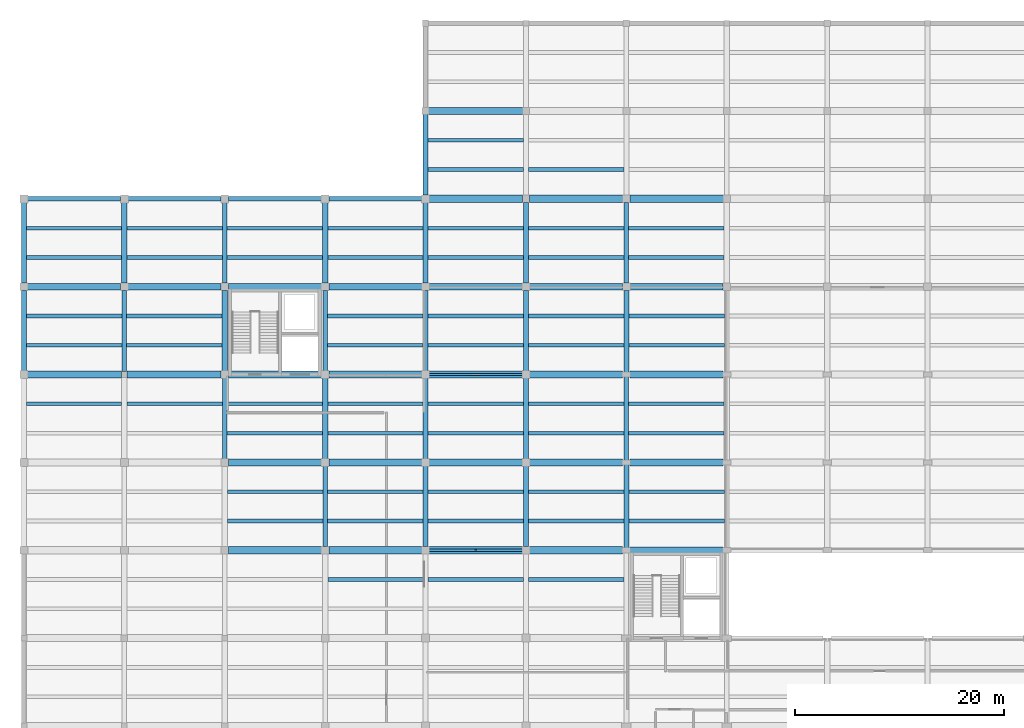
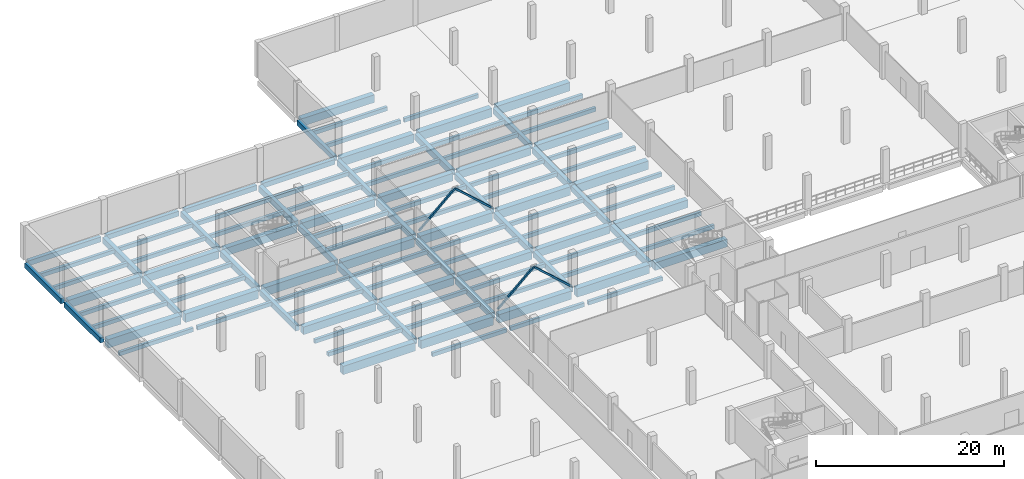
# One storey, part 9 of 30: 110 beams, 4 members.
"""IFC4 building model written with IfcOpenShell, lengths in metres."""

from ifc_helpers import new_model, si_unit, direction, frame, origin, origin_2d, place, context, subcontext, project, spatial, rectangle, hollow_rectangle, extrude, material, material_profile, profile_set, type_object, element, save


model = new_model("IFC4")

# Units and contexts
model_context = context("Model", 3, precision=1e-05, world=origin(), true_north=direction((0.0, 1.0)))
body_context = subcontext(model_context, "Body", "Model", "MODEL_VIEW")
ifc_project = project(units=[si_unit("LENGTHUNIT", "METRE"), si_unit("AREAUNIT", "SQUARE_METRE"), si_unit("VOLUMEUNIT", "CUBIC_METRE"), si_unit("PLANEANGLEUNIT", "RADIAN"), si_unit("MASSUNIT", "GRAM", prefix="KILO")], contexts=[model_context])

# Site, building, storey
site_placement = place(None, origin())
site = spatial("IfcSite", under=ifc_project, at=site_placement, CompositionType="ELEMENT")
building_placement = place(site_placement, origin())
building = spatial("IfcBuilding", under=site, at=building_placement, Name="Lornevale Opera House", CompositionType="ELEMENT")
storey_placement = place(building_placement, frame((0.0, 0.0, -4.800048828125)))
storey = spatial("IfcBuildingStorey", under=building, at=storey_placement, Name="B1", CompositionType="ELEMENT", Elevation=-4.800048828125)

# Beams
ifc_material_1 = material(Name="Concrete 35 MPa (CSA A23.1 N)", Category="concrete")
ifc_material_profile_1 = material_profile(ifc_material_1, rectangle(XDim=0.449951171875, YDim=0.75, at=origin_2d()), Name="RC450x750")
ifc_profile_set_1 = profile_set([ifc_material_profile_1], Name="Concrete 35 MPa (CSA A23.1 N)")
beam_type_1 = type_object("IfcBeamType", Name="Concrete Floor Beam 450x750", PredefinedType="USERDEFINED", material=ifc_profile_set_1)
beam_1_placement = place(storey_placement, frame((9.60009765625, 84.27490234375, -0.794921875), z_axis=(0.0, 1.0, 0.0), x_axis=(-1.0, 0.0, 0.0)))
element("IfcBeam", 1, at=beam_1_placement, inside=storey, type_object=beam_type_1, Name="Concrete Floor Beam 450x750 0256", ObjectType="GIRDER", PredefinedType="USERDEFINED", context=body_context, shape_type="SweptSolid", body=[
    extrude(rectangle(XDim=0.449951171875, YDim=0.75, at=origin_2d()), origin(), (0.0, 0.0, 1.0), 7.775146484375),
])
for number, where, z_axis, x_axis, name in (
    (2, (19.199951171875, 75.949951171875, -0.794921875), (0.0, 1.0, 0.0), (-1.0, 0.0, 0.0), "Concrete Floor Beam 450x750 0267"),
    (3, (19.199951171875, 92.75, -0.794921875), (0.0, 1.0, 0.0), (-1.0, 0.0, 0.0), "Concrete Floor Beam 450x750 0269"),
    (4, (28.800048828125, 67.550048828125, -0.794921875), (0.0, 1.0, 0.0), (-1.0, 0.0, 0.0), "Concrete Floor Beam 450x750 0278"),
    (5, (28.800048828125, 84.35009765625, -0.794921875), (0.0, 1.0, 0.0), (-1.0, 0.0, 0.0), "Concrete Floor Beam 450x750 0280"),
    (6, (38.39990234375, 75.949951171875, -0.794921875), (0.0, 1.0, 0.0), (-1.0, 0.0, 0.0), "Concrete Floor Beam 450x750 0291"),
    (7, (38.39990234375, 92.75, -0.794921875), (0.0, 1.0, 0.0), (-1.0, 0.0, 0.0), "Concrete Floor Beam 450x750 0293"),
    (8, (48.0, 67.550048828125, -0.794921875), (0.0, 1.0, 0.0), (-1.0, 0.0, 0.0), "Concrete Floor Beam 450x750 0304"),
    (9, (48.0, 84.35009765625, -0.794921875), (0.0, 1.0, 0.0), (-1.0, 0.0, 0.0), "Concrete Floor Beam 450x750 0306"),
):
    element("IfcBeam", number, at=place(storey_placement, frame(where, z_axis=z_axis, x_axis=x_axis)), inside=storey, type_object=beam_type_1, Name=name, ObjectType="GIRDER", PredefinedType="USERDEFINED", context=body_context, shape_type="SweptSolid", body=[
        extrude(rectangle(XDim=0.449951171875, YDim=0.75, at=origin_2d()), origin(), (0.0, 0.0, 1.0), 7.699951171875),
    ])
beam_2_placement = place(storey_placement, frame((57.60009765625, 75.800048828125, -0.794921875), z_axis=(0.0, 1.0, 0.0), x_axis=(-1.0, 0.0, 0.0)))
element("IfcBeam", 10, at=beam_2_placement, inside=storey, type_object=beam_type_1, Name="Concrete Floor Beam 450x750 0319", ObjectType="GIRDER", PredefinedType="USERDEFINED", context=body_context, shape_type="SweptSolid", body=[
    extrude(rectangle(XDim=0.449951171875, YDim=0.75, at=origin_2d()), origin(), (0.0, 0.0, 1.0), 8.0),
])
beam_3_placement = place(storey_placement, frame((57.60009765625, 92.75, -0.794921875), z_axis=(0.0, 1.0, 0.0), x_axis=(-1.0, 0.0, 0.0)))
element("IfcBeam", 11, at=beam_3_placement, inside=storey, type_object=beam_type_1, Name="Concrete Floor Beam 450x750 0321", ObjectType="GIRDER", PredefinedType="USERDEFINED", context=body_context, shape_type="SweptSolid", body=[
    extrude(rectangle(XDim=0.449951171875, YDim=0.75, at=origin_2d()), origin(), (0.0, 0.0, 1.0), 7.72509765625),
])
ifc_material_profile_2 = material_profile(ifc_material_1, rectangle(XDim=0.5, YDim=0.800048828125, at=origin_2d()), Name="RC500x800")
ifc_profile_set_2 = profile_set([ifc_material_profile_2], Name="Concrete 35 MPa (CSA A23.1 N)")
beam_type_2 = type_object("IfcBeamType", Name="Concrete Floor Beam 500x800", PredefinedType="USERDEFINED", material=ifc_profile_set_2)
for number, where, z_axis, x_axis, name in (
    (12, (9.60009765625, 92.75, -0.820068359375), (0.0, 1.0, 0.0), (-1.0, 0.0, 0.0), "Concrete Floor Beam 500x800 0257"),
    (13, (19.199951171875, 84.35009765625, -0.820068359375), (0.0, 1.0, 0.0), (-1.0, 0.0, 0.0), "Concrete Floor Beam 500x800 0268"),
    (14, (28.800048828125, 75.949951171875, -0.820068359375), (0.0, 1.0, 0.0), (-1.0, 0.0, 0.0), "Concrete Floor Beam 500x800 0279"),
    (15, (28.800048828125, 92.75, -0.820068359375), (0.0, 1.0, 0.0), (-1.0, 0.0, 0.0), "Concrete Floor Beam 500x800 0281"),
    (16, (38.39990234375, 67.550048828125, -0.820068359375), (0.0, 1.0, 0.0), (-1.0, 0.0, 0.0), "Concrete Floor Beam 500x800 0290"),
    (17, (38.39990234375, 84.35009765625, -0.820068359375), (0.0, 1.0, 0.0), (-1.0, 0.0, 0.0), "Concrete Floor Beam 500x800 0292"),
    (18, (48.0, 75.949951171875, -0.820068359375), (0.0, 1.0, 0.0), (-1.0, 0.0, 0.0), "Concrete Floor Beam 500x800 0305"),
):
    element("IfcBeam", number, at=place(storey_placement, frame(where, z_axis=z_axis, x_axis=x_axis)), inside=storey, type_object=beam_type_2, Name=name, ObjectType="GIRDER", PredefinedType="USERDEFINED", context=body_context, shape_type="SweptSolid", body=[
        extrude(rectangle(XDim=0.5, YDim=0.800048828125, at=origin_2d()), origin(), (0.0, 0.0, 1.0), 7.699951171875),
    ])
beam_4_placement = place(storey_placement, frame((48.0, 92.75, -0.820068359375), z_axis=(0.0, 1.0, 0.0), x_axis=(-1.0, 0.0, 0.0)))
element("IfcBeam", 19, at=beam_4_placement, inside=storey, type_object=beam_type_2, Name="Concrete Floor Beam 500x800 0307", ObjectType="GIRDER", PredefinedType="USERDEFINED", context=body_context, shape_type="SweptSolid", body=[
    extrude(rectangle(XDim=0.5, YDim=0.800048828125, at=origin_2d()), origin(), (0.0, 0.0, 1.0), 7.72509765625),
])
beam_5_placement = place(storey_placement, frame((57.60009765625, 67.39990234375, -0.820068359375), z_axis=(0.0, 1.0, 0.0), x_axis=(-1.0, 0.0, 0.0)))
element("IfcBeam", 20, at=beam_5_placement, inside=storey, type_object=beam_type_2, Name="Concrete Floor Beam 500x800 0318", ObjectType="GIRDER", PredefinedType="USERDEFINED", context=body_context, shape_type="SweptSolid", body=[
    extrude(rectangle(XDim=0.5, YDim=0.800048828125, at=origin_2d()), origin(), (0.0, 0.0, 1.0), 8.0),
])
beam_6_placement = place(storey_placement, frame((57.60009765625, 84.199951171875, -0.820068359375), z_axis=(0.0, 1.0, 0.0), x_axis=(-1.0, 0.0, 0.0)))
element("IfcBeam", 21, at=beam_6_placement, inside=storey, type_object=beam_type_2, Name="Concrete Floor Beam 500x800 0320", ObjectType="GIRDER", PredefinedType="USERDEFINED", context=body_context, shape_type="SweptSolid", body=[
    extrude(rectangle(XDim=0.5, YDim=0.800048828125, at=origin_2d()), origin(), (0.0, 0.0, 1.0), 7.85009765625),
])
ifc_material_2 = material(Name="Concrete 40 MPa (CSA A23.1 C-1)", Category="concrete")
ifc_material_profile_3 = material_profile(ifc_material_2, rectangle(XDim=0.64990234375, YDim=1.0, at=origin_2d()), Name="RC650x1000")
ifc_profile_set_3 = profile_set([ifc_material_profile_3], Name="Concrete 40 MPa (CSA A23.1 C-1)")
beam_type_3 = type_object("IfcBeamType", Name="Concrete Primary Girder 650x1000", PredefinedType="USERDEFINED", material=ifc_profile_set_3)
beam_7_placement = place(storey_placement, frame((57.949951171875, 67.199951171875, -0.919921875), z_axis=(1.0, 0.0, 0.0), x_axis=(0.0, 1.0, 0.0)))
element("IfcBeam", 22, at=beam_7_placement, inside=storey, type_object=beam_type_3, Name="Concrete Primary Girder 650x1000 0143", ObjectType="GIRDER", PredefinedType="USERDEFINED", context=body_context, shape_type="SweptSolid", body=[
    extrude(rectangle(XDim=0.64990234375, YDim=1.0, at=origin_2d()), origin(), (0.0, 0.0, 1.0), 8.900146484375),
])
beam_8_placement = place(storey_placement, frame((19.550048828125, 75.60009765625, -0.919921875), z_axis=(1.0, 0.0, 0.0), x_axis=(0.0, 1.0, 0.0)))
element("IfcBeam", 23, at=beam_8_placement, inside=storey, type_object=beam_type_3, Name="Concrete Primary Girder 650x1000 0157", ObjectType="GIRDER", PredefinedType="USERDEFINED", context=body_context, shape_type="SweptSolid", body=[
    extrude(rectangle(XDim=0.64990234375, YDim=1.0, at=origin_2d()), origin(), (0.0, 0.0, 1.0), 8.89990234375),
])
beam_9_placement = place(storey_placement, frame((29.14990234375, 75.60009765625, -0.919921875), z_axis=(1.0, 0.0, 0.0), x_axis=(0.0, 1.0, 0.0)))
element("IfcBeam", 24, at=beam_9_placement, inside=storey, type_object=beam_type_3, Name="Concrete Primary Girder 650x1000 0158", ObjectType="GIRDER", PredefinedType="USERDEFINED", context=body_context, shape_type="SweptSolid", body=[
    extrude(rectangle(XDim=0.64990234375, YDim=1.0, at=origin_2d()), origin(), (0.0, 0.0, 1.0), 8.900146484375),
])
for number, where, z_axis, x_axis, name in (
    (25, (38.75, 75.60009765625, -0.919921875), (1.0, 0.0, 0.0), (0.0, 1.0, 0.0), "Concrete Primary Girder 650x1000 0159"),
    (26, (48.35009765625, 75.60009765625, -0.919921875), (1.0, 0.0, 0.0), (0.0, 1.0, 0.0), "Concrete Primary Girder 650x1000 0160"),
):
    element("IfcBeam", number, at=place(storey_placement, frame(where, z_axis=z_axis, x_axis=x_axis)), inside=storey, type_object=beam_type_3, Name=name, ObjectType="GIRDER", PredefinedType="USERDEFINED", context=body_context, shape_type="SweptSolid", body=[
        extrude(rectangle(XDim=0.64990234375, YDim=1.0, at=origin_2d()), origin(), (0.0, 0.0, 1.0), 8.89990234375),
    ])
beam_10_placement = place(storey_placement, frame((57.949951171875, 75.60009765625, -0.919921875), z_axis=(1.0, 0.0, 0.0), x_axis=(0.0, 1.0, 0.0)))
element("IfcBeam", 27, at=beam_10_placement, inside=storey, type_object=beam_type_3, Name="Concrete Primary Girder 650x1000 0161", ObjectType="GIRDER", PredefinedType="USERDEFINED", context=body_context, shape_type="SweptSolid", body=[
    extrude(rectangle(XDim=0.64990234375, YDim=1.0, at=origin_2d()), origin(), (0.0, 0.0, 1.0), 8.900146484375),
])
beam_11_placement = place(storey_placement, frame((0.35009765625, 92.39990234375, -0.919921875), z_axis=(1.0, 0.0, 0.0), x_axis=(0.0, 1.0, 0.0)))
element("IfcBeam", 28, at=beam_11_placement, inside=storey, type_object=beam_type_3, Name="Concrete Primary Girder 650x1000 0190", ObjectType="GIRDER", PredefinedType="USERDEFINED", context=body_context, shape_type="SweptSolid", body=[
    extrude(rectangle(XDim=0.64990234375, YDim=1.0, at=origin_2d()), origin(), (0.0, 0.0, 1.0), 8.89990234375),
])
beam_12_placement = place(storey_placement, frame((9.949951171875, 92.39990234375, -0.919921875), z_axis=(1.0, 0.0, 0.0), x_axis=(0.0, 1.0, 0.0)))
element("IfcBeam", 29, at=beam_12_placement, inside=storey, type_object=beam_type_3, Name="Concrete Primary Girder 650x1000 0191", ObjectType="GIRDER", PredefinedType="USERDEFINED", context=body_context, shape_type="SweptSolid", body=[
    extrude(rectangle(XDim=0.64990234375, YDim=1.0, at=origin_2d()), origin(), (0.0, 0.0, 1.0), 8.900146484375),
])
beam_13_placement = place(storey_placement, frame((19.550048828125, 92.39990234375, -0.919921875), z_axis=(1.0, 0.0, 0.0), x_axis=(0.0, 1.0, 0.0)))
element("IfcBeam", 30, at=beam_13_placement, inside=storey, type_object=beam_type_3, Name="Concrete Primary Girder 650x1000 0192", ObjectType="GIRDER", PredefinedType="USERDEFINED", context=body_context, shape_type="SweptSolid", body=[
    extrude(rectangle(XDim=0.64990234375, YDim=1.0, at=origin_2d()), origin(), (0.0, 0.0, 1.0), 8.89990234375),
])
beam_14_placement = place(storey_placement, frame((29.14990234375, 92.39990234375, -0.919921875), z_axis=(1.0, 0.0, 0.0), x_axis=(0.0, 1.0, 0.0)))
element("IfcBeam", 31, at=beam_14_placement, inside=storey, type_object=beam_type_3, Name="Concrete Primary Girder 650x1000 0193", ObjectType="GIRDER", PredefinedType="USERDEFINED", context=body_context, shape_type="SweptSolid", body=[
    extrude(rectangle(XDim=0.64990234375, YDim=1.0, at=origin_2d()), origin(), (0.0, 0.0, 1.0), 8.900146484375),
])
for number, where, z_axis, x_axis, name in (
    (32, (38.75, 92.39990234375, -0.919921875), (1.0, 0.0, 0.0), (0.0, 1.0, 0.0), "Concrete Primary Girder 650x1000 0194"),
    (33, (48.35009765625, 92.39990234375, -0.919921875), (1.0, 0.0, 0.0), (0.0, 1.0, 0.0), "Concrete Primary Girder 650x1000 0195"),
):
    element("IfcBeam", number, at=place(storey_placement, frame(where, z_axis=z_axis, x_axis=x_axis)), inside=storey, type_object=beam_type_3, Name=name, ObjectType="GIRDER", PredefinedType="USERDEFINED", context=body_context, shape_type="SweptSolid", body=[
        extrude(rectangle(XDim=0.64990234375, YDim=1.0, at=origin_2d()), origin(), (0.0, 0.0, 1.0), 8.89990234375),
    ])
beam_15_placement = place(storey_placement, frame((57.949951171875, 92.39990234375, -0.919921875), z_axis=(1.0, 0.0, 0.0), x_axis=(0.0, 1.0, 0.0)))
element("IfcBeam", 34, at=beam_15_placement, inside=storey, type_object=beam_type_3, Name="Concrete Primary Girder 650x1000 0196", ObjectType="GIRDER", PredefinedType="USERDEFINED", context=body_context, shape_type="SweptSolid", body=[
    extrude(rectangle(XDim=0.64990234375, YDim=1.0, at=origin_2d()), origin(), (0.0, 0.0, 1.0), 8.900146484375),
])
beam_16_placement = place(storey_placement, frame((38.699951171875, 109.199951171875, -0.919921875), z_axis=(1.0, 0.0, 0.0), x_axis=(0.0, 1.0, 0.0)))
element("IfcBeam", 35, at=beam_16_placement, inside=storey, type_object=beam_type_3, Name="Concrete Primary Girder 650x1000 0216", ObjectType="GIRDER", PredefinedType="USERDEFINED", context=body_context, shape_type="SweptSolid", body=[
    extrude(rectangle(XDim=0.64990234375, YDim=1.0, at=origin_2d()), origin(), (0.0, 0.0, 1.0), 9.0),
])
ifc_material_profile_4 = material_profile(ifc_material_2, rectangle(XDim=0.699951171875, YDim=1.10009765625, at=origin_2d()), Name="RC700x1100")
ifc_profile_set_4 = profile_set([ifc_material_profile_4], Name="Concrete 40 MPa (CSA A23.1 C-1)")
beam_type_4 = type_object("IfcBeamType", Name="Concrete Primary Girder 700x1100", PredefinedType="USERDEFINED", material=ifc_profile_set_4)
beam_17_placement = place(storey_placement, frame((19.550048828125, 67.199951171875, -0.969970703125), z_axis=(1.0, 0.0, 0.0), x_axis=(0.0, 1.0, 0.0)))
element("IfcBeam", 36, at=beam_17_placement, inside=storey, type_object=beam_type_4, Name="Concrete Primary Girder 700x1100 0139", ObjectType="GIRDER", PredefinedType="USERDEFINED", context=body_context, shape_type="SweptSolid", body=[
    extrude(rectangle(XDim=0.699951171875, YDim=1.10009765625, at=origin_2d()), origin(), (0.0, 0.0, 1.0), 8.89990234375),
])
beam_18_placement = place(storey_placement, frame((29.14990234375, 67.199951171875, -0.969970703125), z_axis=(1.0, 0.0, 0.0), x_axis=(0.0, 1.0, 0.0)))
element("IfcBeam", 37, at=beam_18_placement, inside=storey, type_object=beam_type_4, Name="Concrete Primary Girder 700x1100 0140", ObjectType="GIRDER", PredefinedType="USERDEFINED", context=body_context, shape_type="SweptSolid", body=[
    extrude(rectangle(XDim=0.699951171875, YDim=1.10009765625, at=origin_2d()), origin(), (0.0, 0.0, 1.0), 8.900146484375),
])
for number, where, z_axis, x_axis, name in (
    (38, (38.75, 67.199951171875, -0.969970703125), (1.0, 0.0, 0.0), (0.0, 1.0, 0.0), "Concrete Primary Girder 700x1100 0141"),
    (39, (48.35009765625, 67.199951171875, -0.969970703125), (1.0, 0.0, 0.0), (0.0, 1.0, 0.0), "Concrete Primary Girder 700x1100 0142"),
):
    element("IfcBeam", number, at=place(storey_placement, frame(where, z_axis=z_axis, x_axis=x_axis)), inside=storey, type_object=beam_type_4, Name=name, ObjectType="GIRDER", PredefinedType="USERDEFINED", context=body_context, shape_type="SweptSolid", body=[
        extrude(rectangle(XDim=0.699951171875, YDim=1.10009765625, at=origin_2d()), origin(), (0.0, 0.0, 1.0), 8.89990234375),
    ])
beam_19_placement = place(storey_placement, frame((0.35009765625, 84.0, -0.969970703125), z_axis=(1.0, 0.0, 0.0), x_axis=(0.0, 1.0, 0.0)))
element("IfcBeam", 40, at=beam_19_placement, inside=storey, type_object=beam_type_4, Name="Concrete Primary Girder 700x1100 0173", ObjectType="GIRDER", PredefinedType="USERDEFINED", context=body_context, shape_type="SweptSolid", body=[
    extrude(rectangle(XDim=0.699951171875, YDim=1.10009765625, at=origin_2d()), origin(), (0.0, 0.0, 1.0), 8.974853515625),
])
beam_20_placement = place(storey_placement, frame((9.875, 84.0, -0.969970703125), z_axis=(1.0, 0.0, 0.0), x_axis=(0.0, 1.0, 0.0)))
element("IfcBeam", 41, at=beam_20_placement, inside=storey, type_object=beam_type_4, Name="Concrete Primary Girder 700x1100 0174", ObjectType="GIRDER", PredefinedType="USERDEFINED", context=body_context, shape_type="SweptSolid", body=[
    extrude(rectangle(XDim=0.699951171875, YDim=1.10009765625, at=origin_2d()), origin(), (0.0, 0.0, 1.0), 8.97509765625),
])
beam_21_placement = place(storey_placement, frame((19.550048828125, 84.0, -0.969970703125), z_axis=(1.0, 0.0, 0.0), x_axis=(0.0, 1.0, 0.0)))
element("IfcBeam", 42, at=beam_21_placement, inside=storey, type_object=beam_type_4, Name="Concrete Primary Girder 700x1100 0175", ObjectType="GIRDER", PredefinedType="USERDEFINED", context=body_context, shape_type="SweptSolid", body=[
    extrude(rectangle(XDim=0.699951171875, YDim=1.10009765625, at=origin_2d()), origin(), (0.0, 0.0, 1.0), 8.89990234375),
])
beam_22_placement = place(storey_placement, frame((29.14990234375, 84.0, -0.969970703125), z_axis=(1.0, 0.0, 0.0), x_axis=(0.0, 1.0, 0.0)))
element("IfcBeam", 43, at=beam_22_placement, inside=storey, type_object=beam_type_4, Name="Concrete Primary Girder 700x1100 0176", ObjectType="GIRDER", PredefinedType="USERDEFINED", context=body_context, shape_type="SweptSolid", body=[
    extrude(rectangle(XDim=0.699951171875, YDim=1.10009765625, at=origin_2d()), origin(), (0.0, 0.0, 1.0), 8.900146484375),
])
for number, where, z_axis, x_axis, name in (
    (44, (38.75, 84.0, -0.969970703125), (1.0, 0.0, 0.0), (0.0, 1.0, 0.0), "Concrete Primary Girder 700x1100 0177"),
    (45, (48.35009765625, 84.0, -0.969970703125), (1.0, 0.0, 0.0), (0.0, 1.0, 0.0), "Concrete Primary Girder 700x1100 0178"),
):
    element("IfcBeam", number, at=place(storey_placement, frame(where, z_axis=z_axis, x_axis=x_axis)), inside=storey, type_object=beam_type_4, Name=name, ObjectType="GIRDER", PredefinedType="USERDEFINED", context=body_context, shape_type="SweptSolid", body=[
        extrude(rectangle(XDim=0.699951171875, YDim=1.10009765625, at=origin_2d()), origin(), (0.0, 0.0, 1.0), 8.89990234375),
    ])
beam_23_placement = place(storey_placement, frame((57.949951171875, 84.0, -0.969970703125), z_axis=(1.0, 0.0, 0.0), x_axis=(0.0, 1.0, 0.0)))
element("IfcBeam", 46, at=beam_23_placement, inside=storey, type_object=beam_type_4, Name="Concrete Primary Girder 700x1100 0179", ObjectType="GIRDER", PredefinedType="USERDEFINED", context=body_context, shape_type="SweptSolid", body=[
    extrude(rectangle(XDim=0.699951171875, YDim=1.10009765625, at=origin_2d()), origin(), (0.0, 0.0, 1.0), 8.900146484375),
])
beam_24_placement = place(storey_placement, frame((38.75, 100.800048828125, -0.969970703125), z_axis=(1.0, 0.0, 0.0), x_axis=(0.0, 1.0, 0.0)))
element("IfcBeam", 47, at=beam_24_placement, inside=storey, type_object=beam_type_4, Name="Concrete Primary Girder 700x1100 0207", ObjectType="GIRDER", PredefinedType="USERDEFINED", context=body_context, shape_type="SweptSolid", body=[
    extrude(rectangle(XDim=0.699951171875, YDim=1.10009765625, at=origin_2d()), origin(), (0.0, 0.0, 1.0), 8.925048828125),
])
for number, where, z_axis, x_axis, name in (
    (48, (48.324951171875, 100.800048828125, -0.969970703125), (1.0, 0.0, 0.0), (0.0, 1.0, 0.0), "Concrete Primary Girder 700x1100 0208"),
    (49, (57.925048828125, 100.800048828125, -0.969970703125), (1.0, 0.0, 0.0), (0.0, 1.0, 0.0), "Concrete Primary Girder 700x1100 0209"),
):
    element("IfcBeam", number, at=place(storey_placement, frame(where, z_axis=z_axis, x_axis=x_axis)), inside=storey, type_object=beam_type_4, Name=name, ObjectType="GIRDER", PredefinedType="USERDEFINED", context=body_context, shape_type="SweptSolid", body=[
        extrude(rectangle(XDim=0.699951171875, YDim=1.10009765625, at=origin_2d()), origin(), (0.0, 0.0, 1.0), 8.949951171875),
    ])
ifc_material_profile_5 = material_profile(ifc_material_1, rectangle(XDim=0.35009765625, YDim=0.5, at=origin_2d()), Name="RC350x500")
ifc_profile_set_5 = profile_set([ifc_material_profile_5], Name="Concrete 35 MPa (CSA A23.1 N)")
beam_type_5 = type_object("IfcBeamType", Name="Concrete Secondary Rib 350x500", PredefinedType="JOIST", material=ifc_profile_set_5)
beam_25_placement = place(storey_placement, frame((0.22509765625, 81.199951171875, -0.669921875), z_axis=(1.0, 0.0, 0.0), x_axis=(0.0, 1.0, 0.0)))
element("IfcBeam", 50, at=beam_25_placement, inside=storey, type_object=beam_type_5, Name="Concrete Secondary Rib 350x500 0480", PredefinedType="JOIST", context=body_context, shape_type="SweptSolid", body=[
    extrude(rectangle(XDim=0.35009765625, YDim=0.5, at=origin_2d()), origin(), (0.0, 0.0, 1.0), 9.125),
])
for number, where, z_axis, x_axis, name in (
    (51, (0.22509765625, 86.800048828125, -0.669921875), (1.0, 0.0, 0.0), (0.0, 1.0, 0.0), "Concrete Secondary Rib 350x500 0481"),
    (52, (0.22509765625, 89.60009765625, -0.669921875), (1.0, 0.0, 0.0), (0.0, 1.0, 0.0), "Concrete Secondary Rib 350x500 0482"),
):
    element("IfcBeam", number, at=place(storey_placement, frame(where, z_axis=z_axis, x_axis=x_axis)), inside=storey, type_object=beam_type_5, Name=name, PredefinedType="JOIST", context=body_context, shape_type="SweptSolid", body=[
        extrude(rectangle(XDim=0.35009765625, YDim=0.5, at=origin_2d()), origin(), (0.0, 0.0, 1.0), 9.14990234375),
    ])
for number, where, z_axis, x_axis, name in (
    (53, (0.22509765625, 95.199951171875, -0.669921875), (1.0, 0.0, 0.0), (0.0, 1.0, 0.0), "Concrete Secondary Rib 350x500 0483"),
    (54, (0.22509765625, 98.0, -0.669921875), (1.0, 0.0, 0.0), (0.0, 1.0, 0.0), "Concrete Secondary Rib 350x500 0484"),
    (55, (9.85009765625, 81.199951171875, -0.669921875), (1.0, 0.0, 0.0), (0.0, 1.0, 0.0), "Concrete Secondary Rib 350x500 0504"),
    (56, (9.824951171875, 86.800048828125, -0.669921875), (1.0, 0.0, 0.0), (0.0, 1.0, 0.0), "Concrete Secondary Rib 350x500 0505"),
    (57, (9.824951171875, 89.60009765625, -0.669921875), (1.0, 0.0, 0.0), (0.0, 1.0, 0.0), "Concrete Secondary Rib 350x500 0506"),
    (58, (9.85009765625, 95.199951171875, -0.669921875), (1.0, 0.0, 0.0), (0.0, 1.0, 0.0), "Concrete Secondary Rib 350x500 0507"),
    (59, (9.85009765625, 98.0, -0.669921875), (1.0, 0.0, 0.0), (0.0, 1.0, 0.0), "Concrete Secondary Rib 350x500 0508"),
    (60, (19.449951171875, 70.0, -0.669921875), (1.0, 0.0, 0.0), (0.0, 1.0, 0.0), "Concrete Secondary Rib 350x500 0523"),
    (61, (19.449951171875, 72.800048828125, -0.669921875), (1.0, 0.0, 0.0), (0.0, 1.0, 0.0), "Concrete Secondary Rib 350x500 0524"),
    (62, (19.425048828125, 78.39990234375, -0.669921875), (1.0, 0.0, 0.0), (0.0, 1.0, 0.0), "Concrete Secondary Rib 350x500 0525"),
    (63, (19.425048828125, 81.199951171875, -0.669921875), (1.0, 0.0, 0.0), (0.0, 1.0, 0.0), "Concrete Secondary Rib 350x500 0526"),
    (64, (19.425048828125, 95.199951171875, -0.669921875), (1.0, 0.0, 0.0), (0.0, 1.0, 0.0), "Concrete Secondary Rib 350x500 0527"),
    (65, (19.425048828125, 98.0, -0.669921875), (1.0, 0.0, 0.0), (0.0, 1.0, 0.0), "Concrete Secondary Rib 350x500 0528"),
    (66, (29.050048828125, 64.39990234375, -0.669921875), (1.0, 0.0, 0.0), (0.0, 1.0, 0.0), "Concrete Secondary Rib 350x500 0544"),
    (67, (29.02490234375, 70.0, -0.669921875), (1.0, 0.0, 0.0), (0.0, 1.0, 0.0), "Concrete Secondary Rib 350x500 0545"),
    (68, (29.02490234375, 72.800048828125, -0.669921875), (1.0, 0.0, 0.0), (0.0, 1.0, 0.0), "Concrete Secondary Rib 350x500 0546"),
    (69, (29.050048828125, 78.39990234375, -0.669921875), (1.0, 0.0, 0.0), (0.0, 1.0, 0.0), "Concrete Secondary Rib 350x500 0547"),
    (70, (29.050048828125, 81.199951171875, -0.669921875), (1.0, 0.0, 0.0), (0.0, 1.0, 0.0), "Concrete Secondary Rib 350x500 0548"),
    (71, (29.02490234375, 86.800048828125, -0.669921875), (1.0, 0.0, 0.0), (0.0, 1.0, 0.0), "Concrete Secondary Rib 350x500 0549"),
    (72, (29.02490234375, 89.60009765625, -0.669921875), (1.0, 0.0, 0.0), (0.0, 1.0, 0.0), "Concrete Secondary Rib 350x500 0550"),
    (73, (29.050048828125, 95.199951171875, -0.669921875), (1.0, 0.0, 0.0), (0.0, 1.0, 0.0), "Concrete Secondary Rib 350x500 0551"),
    (74, (29.050048828125, 98.0, -0.669921875), (1.0, 0.0, 0.0), (0.0, 1.0, 0.0), "Concrete Secondary Rib 350x500 0552"),
    (75, (38.625, 64.39990234375, -0.669921875), (1.0, 0.0, 0.0), (0.0, 1.0, 0.0), "Concrete Secondary Rib 350x500 0568"),
    (76, (38.64990234375, 70.0, -0.669921875), (1.0, 0.0, 0.0), (0.0, 1.0, 0.0), "Concrete Secondary Rib 350x500 0569"),
    (77, (38.64990234375, 72.800048828125, -0.669921875), (1.0, 0.0, 0.0), (0.0, 1.0, 0.0), "Concrete Secondary Rib 350x500 0570"),
    (78, (38.625, 78.39990234375, -0.669921875), (1.0, 0.0, 0.0), (0.0, 1.0, 0.0), "Concrete Secondary Rib 350x500 0571"),
    (79, (38.625, 81.199951171875, -0.669921875), (1.0, 0.0, 0.0), (0.0, 1.0, 0.0), "Concrete Secondary Rib 350x500 0572"),
    (80, (38.64990234375, 86.800048828125, -0.669921875), (1.0, 0.0, 0.0), (0.0, 1.0, 0.0), "Concrete Secondary Rib 350x500 0573"),
    (81, (38.64990234375, 89.60009765625, -0.669921875), (1.0, 0.0, 0.0), (0.0, 1.0, 0.0), "Concrete Secondary Rib 350x500 0574"),
    (82, (38.625, 95.199951171875, -0.669921875), (1.0, 0.0, 0.0), (0.0, 1.0, 0.0), "Concrete Secondary Rib 350x500 0575"),
    (83, (38.625, 98.0, -0.669921875), (1.0, 0.0, 0.0), (0.0, 1.0, 0.0), "Concrete Secondary Rib 350x500 0576"),
):
    element("IfcBeam", number, at=place(storey_placement, frame(where, z_axis=z_axis, x_axis=x_axis)), inside=storey, type_object=beam_type_5, Name=name, PredefinedType="JOIST", context=body_context, shape_type="SweptSolid", body=[
        extrude(rectangle(XDim=0.35009765625, YDim=0.5, at=origin_2d()), origin(), (0.0, 0.0, 1.0), 9.125),
    ])
for number, where, z_axis, x_axis, name in (
    (84, (38.625, 103.60009765625, -0.669921875), (1.0, 0.0, 0.0), (0.0, 1.0, 0.0), "Concrete Secondary Rib 350x500 0577"),
    (85, (38.625, 106.39990234375, -0.669921875), (1.0, 0.0, 0.0), (0.0, 1.0, 0.0), "Concrete Secondary Rib 350x500 0578"),
):
    element("IfcBeam", number, at=place(storey_placement, frame(where, z_axis=z_axis, x_axis=x_axis)), inside=storey, type_object=beam_type_5, Name=name, PredefinedType="JOIST", context=body_context, shape_type="SweptSolid", body=[
        extrude(rectangle(XDim=0.35009765625, YDim=0.5, at=origin_2d()), origin(), (0.0, 0.0, 1.0), 9.14990234375),
    ])
for number, where, z_axis, x_axis, name in (
    (86, (48.25, 64.39990234375, -0.669921875), (1.0, 0.0, 0.0), (0.0, 1.0, 0.0), "Concrete Secondary Rib 350x500 0594"),
    (87, (48.22509765625, 70.0, -0.669921875), (1.0, 0.0, 0.0), (0.0, 1.0, 0.0), "Concrete Secondary Rib 350x500 0595"),
    (88, (48.22509765625, 72.800048828125, -0.669921875), (1.0, 0.0, 0.0), (0.0, 1.0, 0.0), "Concrete Secondary Rib 350x500 0596"),
    (89, (48.25, 78.39990234375, -0.669921875), (1.0, 0.0, 0.0), (0.0, 1.0, 0.0), "Concrete Secondary Rib 350x500 0597"),
    (90, (48.25, 81.199951171875, -0.669921875), (1.0, 0.0, 0.0), (0.0, 1.0, 0.0), "Concrete Secondary Rib 350x500 0598"),
    (91, (48.22509765625, 86.800048828125, -0.669921875), (1.0, 0.0, 0.0), (0.0, 1.0, 0.0), "Concrete Secondary Rib 350x500 0599"),
    (92, (48.22509765625, 89.60009765625, -0.669921875), (1.0, 0.0, 0.0), (0.0, 1.0, 0.0), "Concrete Secondary Rib 350x500 0600"),
    (93, (48.25, 95.199951171875, -0.669921875), (1.0, 0.0, 0.0), (0.0, 1.0, 0.0), "Concrete Secondary Rib 350x500 0601"),
    (94, (48.25, 98.0, -0.669921875), (1.0, 0.0, 0.0), (0.0, 1.0, 0.0), "Concrete Secondary Rib 350x500 0602"),
    (95, (48.22509765625, 103.60009765625, -0.669921875), (1.0, 0.0, 0.0), (0.0, 1.0, 0.0), "Concrete Secondary Rib 350x500 0603"),
    (96, (57.85009765625, 70.0, -0.669921875), (1.0, 0.0, 0.0), (0.0, 1.0, 0.0), "Concrete Secondary Rib 350x500 0619"),
    (97, (57.85009765625, 72.800048828125, -0.669921875), (1.0, 0.0, 0.0), (0.0, 1.0, 0.0), "Concrete Secondary Rib 350x500 0620"),
    (98, (57.824951171875, 78.39990234375, -0.669921875), (1.0, 0.0, 0.0), (0.0, 1.0, 0.0), "Concrete Secondary Rib 350x500 0621"),
    (99, (57.824951171875, 81.199951171875, -0.669921875), (1.0, 0.0, 0.0), (0.0, 1.0, 0.0), "Concrete Secondary Rib 350x500 0622"),
    (100, (57.85009765625, 86.800048828125, -0.669921875), (1.0, 0.0, 0.0), (0.0, 1.0, 0.0), "Concrete Secondary Rib 350x500 0623"),
    (101, (57.85009765625, 89.60009765625, -0.669921875), (1.0, 0.0, 0.0), (0.0, 1.0, 0.0), "Concrete Secondary Rib 350x500 0624"),
    (102, (57.824951171875, 95.199951171875, -0.669921875), (1.0, 0.0, 0.0), (0.0, 1.0, 0.0), "Concrete Secondary Rib 350x500 0625"),
    (103, (57.824951171875, 98.0, -0.669921875), (1.0, 0.0, 0.0), (0.0, 1.0, 0.0), "Concrete Secondary Rib 350x500 0626"),
):
    element("IfcBeam", number, at=place(storey_placement, frame(where, z_axis=z_axis, x_axis=x_axis)), inside=storey, type_object=beam_type_5, Name=name, PredefinedType="JOIST", context=body_context, shape_type="SweptSolid", body=[
        extrude(rectangle(XDim=0.35009765625, YDim=0.5, at=origin_2d()), origin(), (0.0, 0.0, 1.0), 9.125),
    ])
ifc_material_profile_6 = material_profile(ifc_material_1, rectangle(XDim=0.449951171875, YDim=0.64990234375, at=origin_2d()), Name="RC450x650")
ifc_profile_set_6 = profile_set([ifc_material_profile_6], Name="Concrete 35 MPa (CSA A23.1 N)")
beam_type_6 = type_object("IfcBeamType", Name="Concrete Spandrel Beam 450x650", PredefinedType="SPANDREL", material=ifc_profile_set_6)
beam_26_placement = place(storey_placement, frame((0.35009765625, 100.800048828125, -0.744873046875), z_axis=(1.0, 0.0, 0.0), x_axis=(0.0, 1.0, 0.0)))
element("IfcBeam", 104, at=beam_26_placement, inside=storey, type_object=beam_type_6, Name="Concrete Spandrel Beam 450x650 0203", PredefinedType="SPANDREL", context=body_context, shape_type="SweptSolid", body=[
    extrude(rectangle(XDim=0.449951171875, YDim=0.64990234375, at=origin_2d()), origin(), (0.0, 0.0, 1.0), 8.89990234375),
])
beam_27_placement = place(storey_placement, frame((9.949951171875, 100.800048828125, -0.744873046875), z_axis=(1.0, 0.0, 0.0), x_axis=(0.0, 1.0, 0.0)))
element("IfcBeam", 105, at=beam_27_placement, inside=storey, type_object=beam_type_6, Name="Concrete Spandrel Beam 450x650 0204", PredefinedType="SPANDREL", context=body_context, shape_type="SweptSolid", body=[
    extrude(rectangle(XDim=0.449951171875, YDim=0.64990234375, at=origin_2d()), origin(), (0.0, 0.0, 1.0), 8.900146484375),
])
beam_28_placement = place(storey_placement, frame((19.550048828125, 100.800048828125, -0.744873046875), z_axis=(1.0, 0.0, 0.0), x_axis=(0.0, 1.0, 0.0)))
element("IfcBeam", 106, at=beam_28_placement, inside=storey, type_object=beam_type_6, Name="Concrete Spandrel Beam 450x650 0205", PredefinedType="SPANDREL", context=body_context, shape_type="SweptSolid", body=[
    extrude(rectangle(XDim=0.449951171875, YDim=0.64990234375, at=origin_2d()), origin(), (0.0, 0.0, 1.0), 8.89990234375),
])
beam_29_placement = place(storey_placement, frame((29.14990234375, 100.800048828125, -0.744873046875), z_axis=(1.0, 0.0, 0.0), x_axis=(0.0, 1.0, 0.0)))
element("IfcBeam", 107, at=beam_29_placement, inside=storey, type_object=beam_type_6, Name="Concrete Spandrel Beam 450x650 0206", PredefinedType="SPANDREL", context=body_context, shape_type="SweptSolid", body=[
    extrude(rectangle(XDim=0.449951171875, YDim=0.64990234375, at=origin_2d()), origin(), (0.0, 0.0, 1.0), 8.900146484375),
])
for number, where, z_axis, x_axis, name in (
    (108, (0.0, 84.35009765625, -0.744873046875), (0.0, 1.0, 0.0), (-1.0, 0.0, 0.0), "Concrete Spandrel Beam 450x650 0244"),
    (109, (0.0, 92.75, -0.744873046875), (0.0, 1.0, 0.0), (-1.0, 0.0, 0.0), "Concrete Spandrel Beam 450x650 0245"),
):
    element("IfcBeam", number, at=place(storey_placement, frame(where, z_axis=z_axis, x_axis=x_axis)), inside=storey, type_object=beam_type_6, Name=name, PredefinedType="SPANDREL", context=body_context, shape_type="SweptSolid", body=[
        extrude(rectangle(XDim=0.449951171875, YDim=0.64990234375, at=origin_2d()), origin(), (0.0, 0.0, 1.0), 7.699951171875),
    ])
beam_30_placement = place(storey_placement, frame((38.39990234375, 101.14990234375, -0.744873046875), z_axis=(0.0, 1.0, 0.0), x_axis=(-1.0, 0.0, 0.0)))
element("IfcBeam", 110, at=beam_30_placement, inside=storey, type_object=beam_type_6, Name="Concrete Spandrel Beam 450x650 0294", PredefinedType="SPANDREL", context=body_context, shape_type="SweptSolid", body=[
    extrude(rectangle(XDim=0.449951171875, YDim=0.64990234375, at=origin_2d()), origin(), (0.0, 0.0, 1.0), 7.75),
])

# Members
ifc_material_3 = material(Name="Structural Steel CSA G40.21 Grade 350W (350 MPa)", Category="steel")
ifc_material_profile_7 = material_profile(ifc_material_3, hollow_rectangle(XDim=0.202880859375, YDim=0.202880859375, WallThickness=0.0126953125, at=origin_2d()), Name="HSS203x203x13")
ifc_profile_set_7 = profile_set([ifc_material_profile_7], Name="Structural Steel CSA G40.21 Grade 350W (350 MPa)")
member_type = type_object("IfcMemberType", Name="Workshop Lateral Brace HSS203x203x13", PredefinedType="BRACE", material=ifc_profile_set_7)
for number, where, z_axis, x_axis, name in (
    (111, (38.77490234375, 67.199951171875, 0.10009765625), (0.743508279333, 0.0, 0.668726729362), (0.0, 1.0, 0.0), "Workshop Lateral Brace HSS203x203x13 0128"),
    (112, (47.625, 67.199951171875, 0.10009765625), (-0.743508279333, 0.0, 0.668726729362), (0.0, -1.0, 0.0), "Workshop Lateral Brace HSS203x203x13 0129"),
    (113, (38.77490234375, 84.0, 0.10009765625), (0.743508279333, 0.0, 0.668726729362), (0.0, 1.0, 0.0), "Workshop Lateral Brace HSS203x203x13 0136"),
    (114, (47.625, 84.0, 0.10009765625), (-0.743508279333, 0.0, 0.668726729362), (0.0, -1.0, 0.0), "Workshop Lateral Brace HSS203x203x13 0137"),
):
    element("IfcMember", number, at=place(storey_placement, frame(where, z_axis=z_axis, x_axis=x_axis)), inside=storey, type_object=member_type, Name=name, PredefinedType="BRACE", context=body_context, shape_type="SweptSolid", body=[
        extrude(hollow_rectangle(XDim=0.202880859375, YDim=0.202880859375, WallThickness=0.0126953125, at=origin_2d()), origin(), (0.0, 0.0, 1.0), 5.95166015625),
    ])

save(model, "model.ifc")
